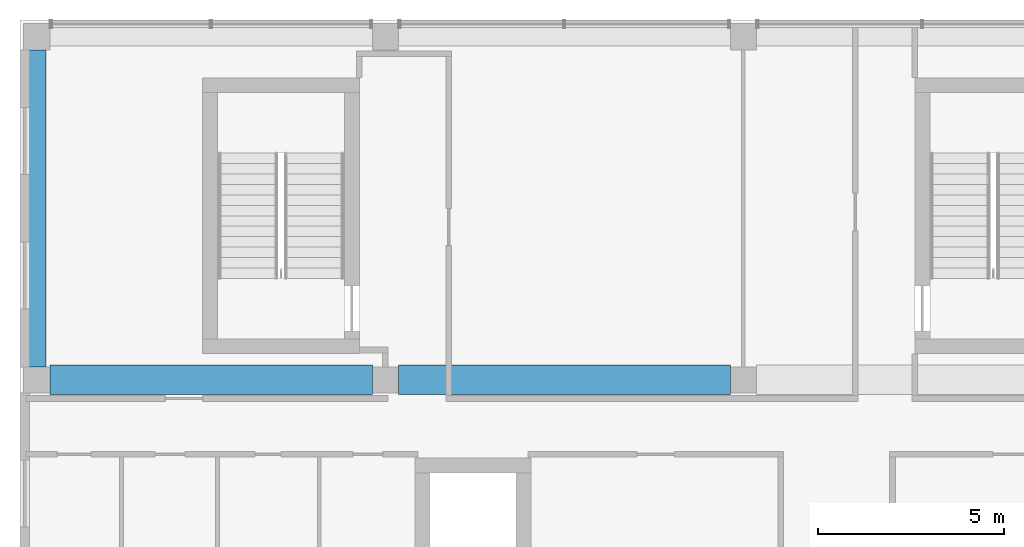
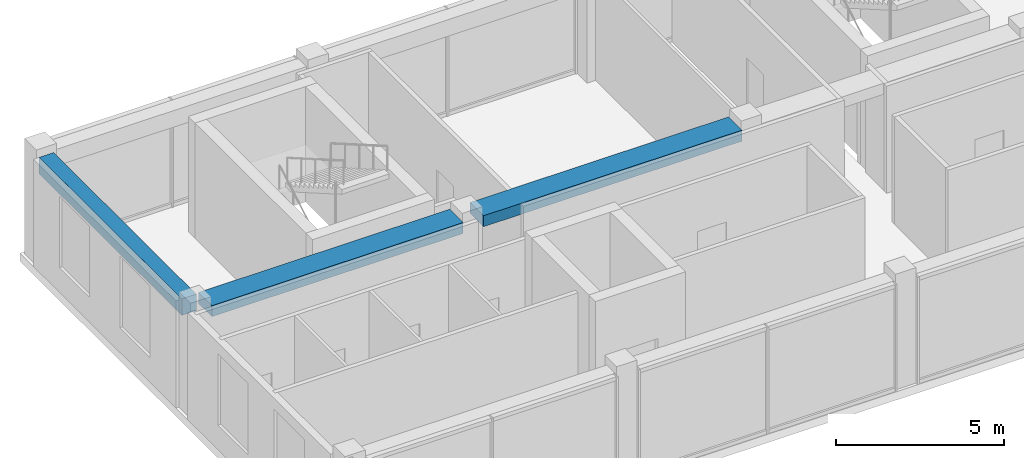
# One storey, part 13 of 27: 3 beams.
"""IFC4 building model written with IfcOpenShell, lengths in metres."""

import ifcopenshell
import ifcopenshell.guid

model = None  # the IFC model being written
_history = None  # IfcOwnerHistory: only IFC2X3 demands one
_inside = {}  # id of a spatial element -> (the spatial element, [elements in it])
_under = {}  # id of a project, library or spatial element -> (it, [spatial elements below it])
_declared = {}  # id of a project -> (the project, [libraries it declares])
_typed = {}  # id of a type object -> (the type object, [elements of that type])
_made_of = {}  # id of a material, layer set ... -> (it, [elements and type objects made of it])


def new_model(schema):
    """Start an empty IFC model of exactly this schema.

    Asked for "IFC4X3", IfcOpenShell would pick the latest addendum, in which some entities
    have other attributes; the version numbers below select the first issue.
    IFC2X3 requires an IfcOwnerHistory on every rooted entity: one is made here for all.
    """
    global model, _history
    if schema == "IFC4X3":
        model = ifcopenshell.file(schema_version=(4, 3, 0, 0))
    else:
        model = ifcopenshell.file(schema=schema)
    _inside.clear()
    _under.clear()
    _declared.clear()
    _typed.clear()
    _made_of.clear()
    _history = None
    if model.schema == "IFC2X3":
        org = make("IfcOrganization", Name="unknown")
        user = make(
            "IfcPersonAndOrganization",
            ThePerson=make("IfcPerson", FamilyName="unknown"),
            TheOrganization=org,
        )
        app = make(
            "IfcApplication",
            ApplicationDeveloper=org,
            Version="unknown",
            ApplicationFullName="unknown",
            ApplicationIdentifier="unknown",
        )
        _history = make(
            "IfcOwnerHistory",
            OwningUser=user,
            OwningApplication=app,
            ChangeAction="ADDED",
            CreationDate=0,
        )
    return model


def make(cls, **values):
    """One entity of the class cls with the attributes given. An attribute that is None is left unset."""
    return model.create_entity(
        cls, **{name: value for name, value in values.items() if value is not None}
    )


def rooted(cls, **values):
    """An entity with a GlobalId (a new one), such as an element, a storey or a relation."""
    return make(cls, GlobalId=ifcopenshell.guid.new(), OwnerHistory=_history, **values)


def si_unit(unit_type, name, prefix=None):
    """IfcSIUnit, for example si_unit("LENGTHUNIT", "METRE", prefix="MILLI")."""
    return make("IfcSIUnit", UnitType=unit_type, Prefix=prefix, Name=name)


def assignment(units):
    """IfcUnitAssignment: the units of a project."""
    return None if units is None else make("IfcUnitAssignment", Units=units)


def point(xyz):
    """IfcCartesianPoint."""
    return None if xyz is None else make("IfcCartesianPoint", Coordinates=xyz)


def direction(xyz):
    """IfcDirection."""
    return None if xyz is None else make("IfcDirection", DirectionRatios=xyz)


def frame(location, z_axis=None, x_axis=None):
    """IfcAxis2Placement3D, a coordinate frame: its origin and axes. An axis left out is left unset."""
    return make(
        "IfcAxis2Placement3D",
        Location=point(location),
        Axis=direction(z_axis),
        RefDirection=direction(x_axis),
    )


def frame_2d(location, x_axis=None):
    """IfcAxis2Placement2D, a coordinate frame in the plane: its origin and x axis."""
    return make(
        "IfcAxis2Placement2D", Location=point(location), RefDirection=direction(x_axis)
    )


def origin():
    """The frame at (0, 0, 0) with its axes left unset."""
    return frame((0.0, 0.0, 0.0))


def origin_2d():
    """The frame at (0, 0) in the plane with its x axis left unset."""
    return frame_2d((0.0, 0.0))


def place(relative_to, where):
    """IfcLocalPlacement: puts the frame where relative to a parent placement (None: the world)."""
    return make(
        "IfcLocalPlacement", PlacementRelTo=relative_to, RelativePlacement=where
    )


def context(
    kind, dimensions, precision=None, world=None, true_north=None, identifier=None
):
    """IfcGeometricRepresentationContext, for example the 3D "Model" context."""
    return make(
        "IfcGeometricRepresentationContext",
        ContextIdentifier=identifier,
        ContextType=kind,
        CoordinateSpaceDimension=dimensions,
        Precision=precision,
        WorldCoordinateSystem=world,
        TrueNorth=true_north,
    )


def subcontext(parent, identifier, kind, view, scale=None):
    """IfcGeometricRepresentationSubContext, for example "Body" below "Model"."""
    return make(
        "IfcGeometricRepresentationSubContext",
        ContextIdentifier=identifier,
        ContextType=kind,
        ParentContext=parent,
        TargetScale=scale,
        TargetView=view,
    )


def project(units=None, contexts=None):
    """IfcProject with its units and contexts."""
    return rooted(
        "IfcProject",
        Name="project",
        RepresentationContexts=contexts,
        UnitsInContext=assignment(units),
    )


def spatial(cls, under=None, at=None, **own):
    """A site, building, storey or space (cls), placed at a placement, below another one or the project."""
    s = rooted(cls, ObjectPlacement=at, **own)
    if under is not None:
        _under.setdefault(under.id(), (under, []))[1].append(s)
    return s


def profile(cls, at=None, kind="AREA", **sizes):
    """A parametric profile (cls). Its sizes go by their IFC names, for example OverallWidth=200.0."""
    return make(cls, ProfileType=kind, Position=at, **sizes)


def rectangle(**sizes):
    """IfcRectangleProfileDef."""
    return profile("IfcRectangleProfileDef", **sizes)


def extrude(swept, where, along, depth):
    """IfcExtrudedAreaSolid: the profile swept, set in the frame where, extruded along a direction by depth."""
    return make(
        "IfcExtrudedAreaSolid",
        SweptArea=swept,
        Position=where,
        ExtrudedDirection=direction(along),
        Depth=depth,
    )


def shape(context_of_items, identifier, shape_type, items):
    """IfcShapeRepresentation: the items that make up one representation, for example the "Body"."""
    return make(
        "IfcShapeRepresentation",
        ContextOfItems=context_of_items,
        RepresentationIdentifier=identifier,
        RepresentationType=shape_type,
        Items=items,
    )


def material(Name=None, Category=None):
    """IfcMaterial."""
    return make("IfcMaterial", Name=Name, Category=Category)


def material_profile(
    of_material, cross_section, Name=None, Category=None, Priority=None
):
    """IfcMaterialProfile: a cross section and its material."""
    return make(
        "IfcMaterialProfile",
        Name=Name,
        Material=of_material,
        Profile=cross_section,
        Priority=Priority,
        Category=Category,
    )


def profile_set(profiles, Name=None, composite=None):
    """IfcMaterialProfileSet."""
    return make(
        "IfcMaterialProfileSet",
        Name=Name,
        MaterialProfiles=profiles,
        CompositeProfile=composite,
    )


def made_of(thing, what):
    """Note that an element or type object is made of a material, layer set ...; save() writes the relation."""
    if what is not None:
        _made_of.setdefault(what.id(), (what, []))[1].append(thing)
    return thing


def type_object(cls, material=None, **own):
    """A type object (cls), such as IfcWallType, which elements share."""
    return made_of(rooted(cls, **own), material)


def element(
    cls,
    number,
    at=None,
    inside=None,
    cuts=None,
    type_object=None,
    material=None,
    context=None,
    identifier="Body",
    shape_type=None,
    held_by="IfcProductDefinitionShape",
    body=None,
    shapes=None,
    **own,
):
    """One element of the class cls, such as IfcWall. Its Tag is "e" and its number.

    at: its placement. inside: the storey or other place that contains it. cuts: it is an
    opening in that element (IfcRelVoidsElement). A single representation is given by context,
    identifier, shape_type and body (its items); several are given by shapes. held_by: the class
    of the entity that holds the representations. save() writes the other relations.
    """
    e = rooted(cls, Tag="e%d" % number, ObjectPlacement=at, **own)
    if body is not None:
        shapes = [shape(context, identifier, shape_type, body)]
    if shapes is not None:
        e.Representation = make(held_by, Representations=shapes)
    if inside is not None:
        _inside.setdefault(inside.id(), (inside, []))[1].append(e)
    if cuts is not None:
        rooted(
            "IfcRelVoidsElement", RelatingBuildingElement=cuts, RelatedOpeningElement=e
        )
    if type_object is not None:
        _typed.setdefault(type_object.id(), (type_object, []))[1].append(e)
    return made_of(e, material)


def aggregate(whole, parts):
    """IfcRelAggregates: a whole, such as a stair, and the parts it consists of."""
    return rooted("IfcRelAggregates", RelatingObject=whole, RelatedObjects=parts)


def save(model, path):
    """Write the relations noted so far, then the file.

    IfcRelAggregates (storeys below a building ...), IfcRelContainedInSpatialStructure (elements
    in a storey), IfcRelDefinesByType, IfcRelAssociatesMaterial and IfcRelDeclares: one each for
    every whole, place, type object, material and project.
    """
    for whole, parts in _under.values():
        aggregate(whole, parts)
    for where, things in _inside.values():
        rooted(
            "IfcRelContainedInSpatialStructure",
            RelatedElements=things,
            RelatingStructure=where,
        )
    for kind, things in _typed.values():
        rooted("IfcRelDefinesByType", RelatedObjects=things, RelatingType=kind)
    for what, things in _made_of.values():
        rooted("IfcRelAssociatesMaterial", RelatedObjects=things, RelatingMaterial=what)
    for by, libraries in _declared.values():
        rooted("IfcRelDeclares", RelatingContext=by, RelatedDefinitions=libraries)
    model.write(path)


model = new_model("IFC4")

# Units and contexts
model_context = context("Model", 3, precision=1e-05, world=origin(), true_north=direction((0.0, 1.0)))
body_context = subcontext(model_context, "Body", "Model", "MODEL_VIEW")
ifc_project = project(units=[si_unit("LENGTHUNIT", "METRE"), si_unit("AREAUNIT", "SQUARE_METRE"), si_unit("VOLUMEUNIT", "CUBIC_METRE"), si_unit("PLANEANGLEUNIT", "RADIAN"), si_unit("MASSUNIT", "GRAM", prefix="KILO")], contexts=[model_context])

# Site, building, storey
site_placement = place(None, origin())
site = spatial("IfcSite", under=ifc_project, at=site_placement, CompositionType="ELEMENT")
building_placement = place(site_placement, origin())
building = spatial("IfcBuilding", under=site, at=building_placement, Name="Nzadi Deep Aquarium and Research Tower", CompositionType="ELEMENT")
storey_placement = place(building_placement, frame((0.0, 0.0, 69.699951171875)))
storey = spatial("IfcBuildingStorey", under=building, at=storey_placement, Name="L14", CompositionType="ELEMENT", Elevation=69.699951171875)

# Beams
ifc_material_1 = material(Name="Concrete C35/45", Category="concrete")
ifc_material_profile_1 = material_profile(ifc_material_1, rectangle(XDim=0.5, YDim=0.60009765625, at=origin_2d()))
ifc_profile_set_1 = profile_set([ifc_material_profile_1], Name="Concrete C35/45")
beam_type_1 = type_object("IfcBeamType", Name="RC 500x600", PredefinedType="BEAM", material=ifc_profile_set_1)
beam_1_placement = place(storey_placement, frame((0.25, 37.14990234375, 3.60009765625), z_axis=(0.0, 1.0, 0.0), x_axis=(-1.0, 0.0, 0.0)))
element("IfcBeam", 1, at=beam_1_placement, inside=storey, type_object=beam_type_1, Name="B-Z1-L14-CA-2-4", PredefinedType="BEAM", context=body_context, shape_type="SweptSolid", body=[
    extrude(rectangle(XDim=0.5, YDim=0.60009765625, at=origin_2d()), origin(), (0.0, 0.0, 1.0), 8.5),
])
ifc_material_2 = material(Name="Concrete C35/45", Category="concrete")
ifc_material_profile_2 = material_profile(ifc_material_2, rectangle(XDim=0.800048828125, YDim=0.39990234375, at=origin_2d()))
ifc_profile_set_2 = profile_set([ifc_material_profile_2], Name="Concrete C35/45")
beam_type_2 = type_object("IfcBeamType", Name="RC 800x400", PredefinedType="BEAM", material=ifc_profile_set_2)
beam_2_placement = place(storey_placement, frame((0.60009765625, 36.800048828125, 3.699951171875), z_axis=(1.0, 0.0, 0.0), x_axis=(0.0, 1.0, 0.0)))
element("IfcBeam", 2, at=beam_2_placement, inside=storey, type_object=beam_type_2, Name="B-Z1-L14-L5-1", PredefinedType="BEAM", context=body_context, shape_type="SweptSolid", body=[
    extrude(rectangle(XDim=0.800048828125, YDim=0.39990234375, at=origin_2d()), origin(), (0.0, 0.0, 1.0), 8.64990234375),
])
beam_3_placement = place(storey_placement, frame((9.949951171875, 36.800048828125, 3.699951171875), z_axis=(1.0, 0.0, 0.0), x_axis=(0.0, 1.0, 0.0)))
element("IfcBeam", 3, at=beam_3_placement, inside=storey, type_object=beam_type_2, Name="B-Z1-L14-L5-2", PredefinedType="BEAM", context=body_context, shape_type="SweptSolid", body=[
    extrude(rectangle(XDim=0.800048828125, YDim=0.39990234375, at=origin_2d()), origin(), (0.0, 0.0, 1.0), 8.900146484375),
])

save(model, "model.ifc")
